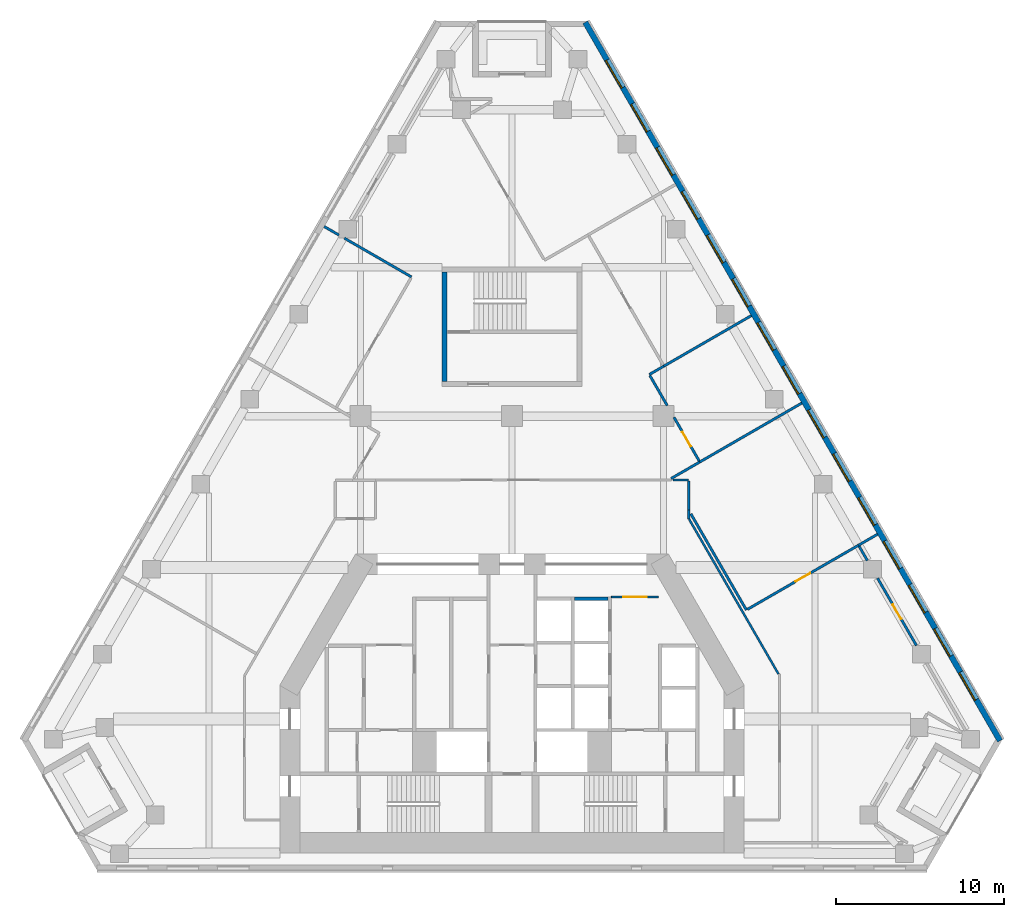
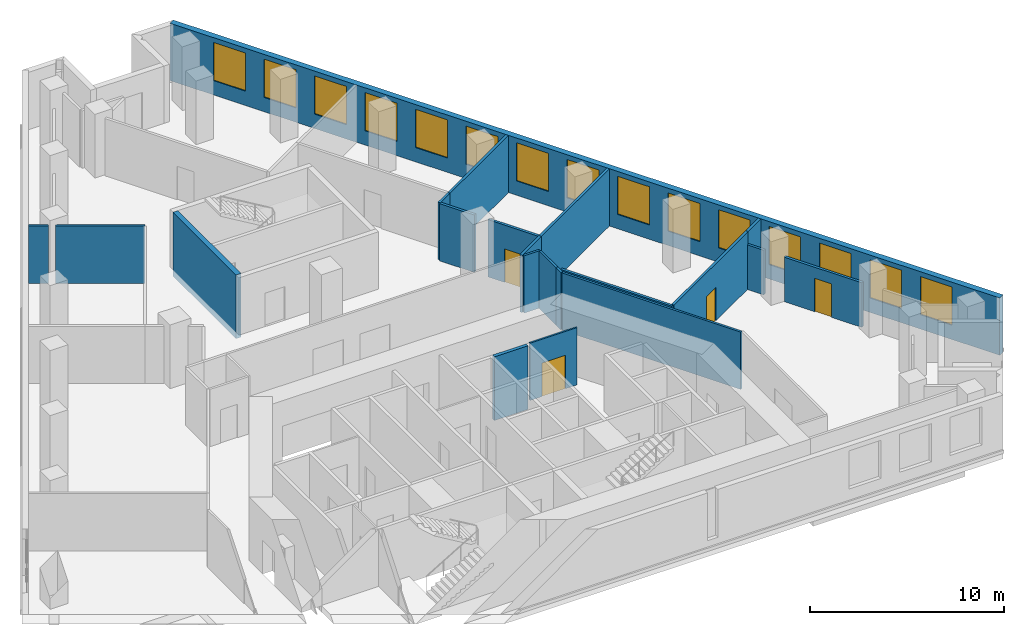
# One storey, part 7 of 9: 21 walls, 15 windows, 4 doors, 19 openings.
"""IFC4 building model written with IfcOpenShell, lengths in metres."""

from ifc_helpers import new_model, si_unit, direction, frame, frame_2d, origin, place, context, subcontext, project, spatial, rectangle, extrude, material, layer, layer_set, type_object, element, fill, save


model = new_model("IFC4")

# Units and contexts
model_context = context("Model", 3, precision=1e-05, world=origin(), true_north=direction((0.0, 1.0)))
body_context = subcontext(model_context, "Body", "Model", "MODEL_VIEW")
ifc_project = project(units=[si_unit("LENGTHUNIT", "METRE"), si_unit("AREAUNIT", "SQUARE_METRE"), si_unit("VOLUMEUNIT", "CUBIC_METRE"), si_unit("PLANEANGLEUNIT", "RADIAN"), si_unit("MASSUNIT", "GRAM", prefix="KILO")], contexts=[model_context])

# Site, building, storey
site_placement = place(None, origin())
site = spatial("IfcSite", under=ifc_project, at=site_placement, CompositionType="ELEMENT")
building_placement = place(site_placement, origin())
building = spatial("IfcBuilding", under=site, at=building_placement, Name="Fogline Exchange Tower", CompositionType="ELEMENT")
storey_placement = place(building_placement, frame((0.0, 0.0, 146.89990234375)))
storey = spatial("IfcBuildingStorey", under=building, at=storey_placement, Name="L32", CompositionType="ELEMENT", Elevation=146.89990234375)

# Wall, opening, door
ifc_material_1 = material(Name="Blockwork partition", Category="masonry")
ifc_layer_1 = layer(ifc_material_1, 0.10009765625)
ifc_layer_set_1 = layer_set([ifc_layer_1], Name="CW10")
wall_type_1 = type_object("IfcWallType", Name="CW10", PredefinedType="PARTITIONING", material=ifc_layer_set_1)
wall_1_placement = place(storey_placement, frame((5.89990234375, 16.25, 0.0), z_axis=(0.0, 0.0, 1.0), x_axis=(1.0, 0.0, 0.0)))
wall_1 = element("IfcWall", 1, at=wall_1_placement, inside=storey, type_object=wall_type_1, Name="Lift lobby partition", PredefinedType="PARTITIONING", context=body_context, shape_type="SweptSolid", body=[
    extrude(rectangle(XDim=2.800048828125, YDim=0.10009765625, at=frame_2d((1.39990234375, 0.0))), origin(), (0.0, 0.0, 1.0), 3.60009765625),
])
opening_1_placement = place(wall_1_placement, frame((0.699951171875, 0.0, 0.0)))
opening_1 = element("IfcOpeningElement", 2, at=opening_1_placement, cuts=wall_1, Name="Opening T10-C012", PredefinedType="OPENING", context=body_context, shape_type="SweptSolid", body=[
    extrude(rectangle(XDim=1.39990234375, YDim=2.10009765625, at=frame_2d((0.699951171875, 1.050048828125))), frame((0.0, 0.06005859375, 0.0), z_axis=(0.0, -1.0, 0.0), x_axis=(1.0, 0.0, 0.0)), (0.0, 0.0, 1.0), 0.1201171875),
])
ifc_material_2 = material(Name="Steel and timber fire door", Category="steel")
door_type_1 = type_object("IfcDoorType", Name="D-LB1", OperationType="DOUBLE_DOOR_SINGLE_SWING", PredefinedType="DOOR", material=ifc_material_2)
door_1_placement = place(opening_1_placement, origin())
door_1 = element("IfcDoor", 3, at=door_1_placement, inside=storey, type_object=door_type_1, Name="Door to lift lobby", OperationType="DOUBLE_DOOR_SINGLE_SWING", OverallHeight=2.10009765625, OverallWidth=1.39990234375, PredefinedType="DOOR", context=body_context, shape_type="SweptSolid", body=[
    extrude(rectangle(XDim=1.39990234375, YDim=2.10009765625, at=frame_2d((0.699951171875, 1.050048828125))), frame((0.0, 0.02490234375, 0.0), z_axis=(0.0, -1.0, 0.0), x_axis=(1.0, 0.0, 0.0)), (0.0, 0.0, 1.0), 0.050048828125),
])
fill(opening_1, door_1)

# Walls
ifc_material_3 = material(Name="Concrete C40", Category="concrete")
ifc_layer_2 = layer(ifc_material_3, 0.199951171875)
ifc_layer_set_2 = layer_set([ifc_layer_2], Name="CW20S")
wall_type_2 = type_object("IfcWallType", Name="CW20S", PredefinedType="SOLIDWALL", material=ifc_layer_set_2)
wall_2_placement = place(storey_placement, frame((3.699951171875, 16.14990234375, -0.39990234375), z_axis=(0.0, 0.0, 1.0), x_axis=(1.0, 0.0, 0.0)))
element("IfcWall", 4, at=wall_2_placement, inside=storey, type_object=wall_type_2, Name="Lift shaft wall", PredefinedType="SOLIDWALL", context=body_context, shape_type="SweptSolid", body=[
    extrude(rectangle(XDim=2.0, YDim=0.199951171875, at=frame_2d((1.0, 0.0))), origin(), (0.0, 0.0, 1.0), 4.0),
])
ifc_layer_3 = layer(ifc_material_3, 0.300048828125)
ifc_layer_set_3 = layer_set([ifc_layer_3], Name="CW30")
wall_type_3 = type_object("IfcWallType", Name="CW30", PredefinedType="SOLIDWALL", material=ifc_layer_set_3)
wall_3_placement = place(storey_placement, frame((-4.0, 29.056884765625, -0.39990234375), z_axis=(0.0, 0.0, 1.0), x_axis=(0.0, 1.0, 0.0)))
element("IfcWall", 5, at=wall_3_placement, inside=storey, type_object=wall_type_3, Name="Stair enclosure wall ST3", PredefinedType="SOLIDWALL", context=body_context, shape_type="SweptSolid", body=[
    extrude(rectangle(XDim=6.5, YDim=0.300048828125, at=frame_2d((3.25, 0.0))), origin(), (0.0, 0.0, 1.0), 4.0),
])

# Wall, openings, windows
ifc_material_4 = material(Name="Brick masonry", Category="masonry")
ifc_layer_4 = layer(ifc_material_4, 0.340087890625)
ifc_layer_set_4 = layer_set([ifc_layer_4], Name="FW1")
wall_type_4 = type_object("IfcWallType", Name="FW1", PredefinedType="SOLIDWALL", material=ifc_layer_set_4)
wall_4_placement = place(storey_placement, frame((29.001220703125, 7.709228515625, 0.0), z_axis=(0.0, 0.0, 1.0), x_axis=(-0.499999677325, 0.866025590081, 0.0)))
wall_4 = element("IfcWall", 6, at=wall_4_placement, inside=storey, type_object=wall_type_4, Name="Brick wall L32 E", PredefinedType="SOLIDWALL", context=body_context, shape_type="SweptSolid", body=[
    extrude(rectangle(XDim=49.296875, YDim=0.340087890625, at=frame_2d((24.6484375, 0.0))), origin(), (0.0, 0.0, 1.0), 3.60009765625),
])
opening_2_placement = place(wall_4_placement, frame((2.82421875, 0.0, 0.89990234375)))
opening_2 = element("IfcOpeningElement", 7, at=opening_2_placement, cuts=wall_4, Name="Opening W1", PredefinedType="OPENING", context=body_context, shape_type="SweptSolid", body=[
    extrude(rectangle(XDim=1.885009765625, YDim=2.39990234375, at=frame_2d((0.9423828125, 1.199951171875))), frame((0.0, 0.18017578125, 0.0), z_axis=(0.0, -1.0, 0.0), x_axis=(1.0, 0.0, 0.0)), (0.0, 0.0, 1.0), 0.360107421875),
])
opening_3_placement = place(wall_4_placement, frame((5.82421875, 0.0, 0.89990234375)))
opening_3 = element("IfcOpeningElement", 8, at=opening_3_placement, cuts=wall_4, Name="Opening W1", PredefinedType="OPENING", context=body_context, shape_type="SweptSolid", body=[
    extrude(rectangle(XDim=1.885009765625, YDim=2.39990234375, at=frame_2d((0.9423828125, 1.199951171875))), frame((0.0, 0.18017578125, 0.0), z_axis=(0.0, -1.0, 0.0), x_axis=(1.0, 0.0, 0.0)), (0.0, 0.0, 1.0), 0.360107421875),
])
opening_4_placement = place(wall_4_placement, frame((8.82421875, 0.0, 0.89990234375)))
opening_4 = element("IfcOpeningElement", 9, at=opening_4_placement, cuts=wall_4, Name="Opening W1", PredefinedType="OPENING", context=body_context, shape_type="SweptSolid", body=[
    extrude(rectangle(XDim=1.885009765625, YDim=2.39990234375, at=frame_2d((0.9423828125, 1.199951171875))), frame((0.0, 0.18017578125, 0.0), z_axis=(0.0, -1.0, 0.0), x_axis=(1.0, 0.0, 0.0)), (0.0, 0.0, 1.0), 0.360107421875),
])
opening_5_placement = place(wall_4_placement, frame((11.82421875, 0.0, 0.89990234375)))
opening_5 = element("IfcOpeningElement", 10, at=opening_5_placement, cuts=wall_4, Name="Opening W1", PredefinedType="OPENING", context=body_context, shape_type="SweptSolid", body=[
    extrude(rectangle(XDim=1.885009765625, YDim=2.39990234375, at=frame_2d((0.9423828125, 1.199951171875))), frame((0.0, 0.18017578125, 0.0), z_axis=(0.0, -1.0, 0.0), x_axis=(1.0, 0.0, 0.0)), (0.0, 0.0, 1.0), 0.360107421875),
])
opening_6_placement = place(wall_4_placement, frame((14.82421875, 0.0, 0.89990234375)))
opening_6 = element("IfcOpeningElement", 11, at=opening_6_placement, cuts=wall_4, Name="Opening W1", PredefinedType="OPENING", context=body_context, shape_type="SweptSolid", body=[
    extrude(rectangle(XDim=1.885009765625, YDim=2.39990234375, at=frame_2d((0.9423828125, 1.199951171875))), frame((0.0, 0.18017578125, 0.0), z_axis=(0.0, -1.0, 0.0), x_axis=(1.0, 0.0, 0.0)), (0.0, 0.0, 1.0), 0.360107421875),
])
opening_7_placement = place(wall_4_placement, frame((17.82421875, 0.0, 0.89990234375)))
opening_7 = element("IfcOpeningElement", 12, at=opening_7_placement, cuts=wall_4, Name="Opening W1", PredefinedType="OPENING", context=body_context, shape_type="SweptSolid", body=[
    extrude(rectangle(XDim=1.885009765625, YDim=2.39990234375, at=frame_2d((0.9423828125, 1.199951171875))), frame((0.0, 0.18017578125, 0.0), z_axis=(0.0, -1.0, 0.0), x_axis=(1.0, 0.0, 0.0)), (0.0, 0.0, 1.0), 0.360107421875),
])
opening_8_placement = place(wall_4_placement, frame((20.82421875, 0.0, 0.89990234375)))
opening_8 = element("IfcOpeningElement", 13, at=opening_8_placement, cuts=wall_4, Name="Opening W1", PredefinedType="OPENING", context=body_context, shape_type="SweptSolid", body=[
    extrude(rectangle(XDim=1.885009765625, YDim=2.39990234375, at=frame_2d((0.9423828125, 1.199951171875))), frame((0.0, 0.18017578125, 0.0), z_axis=(0.0, -1.0, 0.0), x_axis=(1.0, 0.0, 0.0)), (0.0, 0.0, 1.0), 0.360107421875),
])
opening_9_placement = place(wall_4_placement, frame((23.82421875, 0.0, 0.89990234375)))
opening_9 = element("IfcOpeningElement", 14, at=opening_9_placement, cuts=wall_4, Name="Opening W1", PredefinedType="OPENING", context=body_context, shape_type="SweptSolid", body=[
    extrude(rectangle(XDim=1.885009765625, YDim=2.39990234375, at=frame_2d((0.9423828125, 1.199951171875))), frame((0.0, 0.18017578125, 0.0), z_axis=(0.0, -1.0, 0.0), x_axis=(1.0, 0.0, 0.0)), (0.0, 0.0, 1.0), 0.360107421875),
])
opening_10_placement = place(wall_4_placement, frame((26.82421875, 0.0, 0.89990234375)))
opening_10 = element("IfcOpeningElement", 15, at=opening_10_placement, cuts=wall_4, Name="Opening W1", PredefinedType="OPENING", context=body_context, shape_type="SweptSolid", body=[
    extrude(rectangle(XDim=1.885009765625, YDim=2.39990234375, at=frame_2d((0.9423828125, 1.199951171875))), frame((0.0, 0.18017578125, 0.0), z_axis=(0.0, -1.0, 0.0), x_axis=(1.0, 0.0, 0.0)), (0.0, 0.0, 1.0), 0.360107421875),
])
opening_11_placement = place(wall_4_placement, frame((29.82421875, 0.0, 0.89990234375)))
opening_11 = element("IfcOpeningElement", 16, at=opening_11_placement, cuts=wall_4, Name="Opening W1", PredefinedType="OPENING", context=body_context, shape_type="SweptSolid", body=[
    extrude(rectangle(XDim=1.885009765625, YDim=2.39990234375, at=frame_2d((0.9423828125, 1.199951171875))), frame((0.0, 0.18017578125, 0.0), z_axis=(0.0, -1.0, 0.0), x_axis=(1.0, 0.0, 0.0)), (0.0, 0.0, 1.0), 0.360107421875),
])
opening_12_placement = place(wall_4_placement, frame((32.82421875, 0.0, 0.89990234375)))
opening_12 = element("IfcOpeningElement", 17, at=opening_12_placement, cuts=wall_4, Name="Opening W1", PredefinedType="OPENING", context=body_context, shape_type="SweptSolid", body=[
    extrude(rectangle(XDim=1.885009765625, YDim=2.39990234375, at=frame_2d((0.9423828125, 1.199951171875))), frame((0.0, 0.18017578125, 0.0), z_axis=(0.0, -1.0, 0.0), x_axis=(1.0, 0.0, 0.0)), (0.0, 0.0, 1.0), 0.360107421875),
])
opening_13_placement = place(wall_4_placement, frame((35.82421875, 0.0, 0.89990234375)))
opening_13 = element("IfcOpeningElement", 18, at=opening_13_placement, cuts=wall_4, Name="Opening W1", PredefinedType="OPENING", context=body_context, shape_type="SweptSolid", body=[
    extrude(rectangle(XDim=1.885009765625, YDim=2.39990234375, at=frame_2d((0.9423828125, 1.199951171875))), frame((0.0, 0.18017578125, 0.0), z_axis=(0.0, -1.0, 0.0), x_axis=(1.0, 0.0, 0.0)), (0.0, 0.0, 1.0), 0.360107421875),
])
opening_14_placement = place(wall_4_placement, frame((38.82421875, 0.0, 0.89990234375)))
opening_14 = element("IfcOpeningElement", 19, at=opening_14_placement, cuts=wall_4, Name="Opening W1", PredefinedType="OPENING", context=body_context, shape_type="SweptSolid", body=[
    extrude(rectangle(XDim=1.885009765625, YDim=2.39990234375, at=frame_2d((0.9423828125, 1.199951171875))), frame((0.0, 0.18017578125, 0.0), z_axis=(0.0, -1.0, 0.0), x_axis=(1.0, 0.0, 0.0)), (0.0, 0.0, 1.0), 0.360107421875),
])
opening_15_placement = place(wall_4_placement, frame((41.82421875, 0.0, 0.89990234375)))
opening_15 = element("IfcOpeningElement", 20, at=opening_15_placement, cuts=wall_4, Name="Opening W1", PredefinedType="OPENING", context=body_context, shape_type="SweptSolid", body=[
    extrude(rectangle(XDim=1.885009765625, YDim=2.39990234375, at=frame_2d((0.9423828125, 1.199951171875))), frame((0.0, 0.18017578125, 0.0), z_axis=(0.0, -1.0, 0.0), x_axis=(1.0, 0.0, 0.0)), (0.0, 0.0, 1.0), 0.360107421875),
])
opening_16_placement = place(wall_4_placement, frame((44.82421875, 0.0, 0.89990234375)))
opening_16 = element("IfcOpeningElement", 21, at=opening_16_placement, cuts=wall_4, Name="Opening W1", PredefinedType="OPENING", context=body_context, shape_type="SweptSolid", body=[
    extrude(rectangle(XDim=1.885009765625, YDim=2.39990234375, at=frame_2d((0.9423828125, 1.199951171875))), frame((0.0, 0.18017578125, 0.0), z_axis=(0.0, -1.0, 0.0), x_axis=(1.0, 0.0, 0.0)), (0.0, 0.0, 1.0), 0.360107421875),
])
ifc_material_5 = material(Name="Aluminium and glass", Category="aluminium")
window_type = type_object("IfcWindowType", Name="W1", PartitioningType="SINGLE_PANEL", PredefinedType="WINDOW", material=ifc_material_5)
window_1_placement = place(opening_2_placement, origin())
window_1 = element("IfcWindow", 22, at=window_1_placement, inside=storey, type_object=window_type, Name="W1 W1", OverallHeight=2.39990234375, OverallWidth=1.885009765625, PartitioningType="SINGLE_PANEL", PredefinedType="WINDOW", context=body_context, shape_type="SweptSolid", body=[
    extrude(rectangle(XDim=1.885009765625, YDim=2.39990234375, at=frame_2d((0.9423828125, 1.199951171875))), frame((0.0, 0.110107421875, 0.0), z_axis=(0.0, -1.0, 0.0), x_axis=(1.0, 0.0, 0.0)), (0.0, 0.0, 1.0), 0.06005859375),
])
fill(opening_2, window_1)
window_2_placement = place(opening_3_placement, origin())
window_2 = element("IfcWindow", 23, at=window_2_placement, inside=storey, type_object=window_type, Name="W1 W1", OverallHeight=2.39990234375, OverallWidth=1.885009765625, PartitioningType="SINGLE_PANEL", PredefinedType="WINDOW", context=body_context, shape_type="SweptSolid", body=[
    extrude(rectangle(XDim=1.885009765625, YDim=2.39990234375, at=frame_2d((0.9423828125, 1.199951171875))), frame((0.0, 0.110107421875, 0.0), z_axis=(0.0, -1.0, 0.0), x_axis=(1.0, 0.0, 0.0)), (0.0, 0.0, 1.0), 0.06005859375),
])
fill(opening_3, window_2)
window_3_placement = place(opening_4_placement, origin())
window_3 = element("IfcWindow", 24, at=window_3_placement, inside=storey, type_object=window_type, Name="W1 W1", OverallHeight=2.39990234375, OverallWidth=1.885009765625, PartitioningType="SINGLE_PANEL", PredefinedType="WINDOW", context=body_context, shape_type="SweptSolid", body=[
    extrude(rectangle(XDim=1.885009765625, YDim=2.39990234375, at=frame_2d((0.9423828125, 1.199951171875))), frame((0.0, 0.110107421875, 0.0), z_axis=(0.0, -1.0, 0.0), x_axis=(1.0, 0.0, 0.0)), (0.0, 0.0, 1.0), 0.06005859375),
])
fill(opening_4, window_3)
window_4_placement = place(opening_5_placement, origin())
window_4 = element("IfcWindow", 25, at=window_4_placement, inside=storey, type_object=window_type, Name="W1 W1", OverallHeight=2.39990234375, OverallWidth=1.885009765625, PartitioningType="SINGLE_PANEL", PredefinedType="WINDOW", context=body_context, shape_type="SweptSolid", body=[
    extrude(rectangle(XDim=1.885009765625, YDim=2.39990234375, at=frame_2d((0.9423828125, 1.199951171875))), frame((0.0, 0.110107421875, 0.0), z_axis=(0.0, -1.0, 0.0), x_axis=(1.0, 0.0, 0.0)), (0.0, 0.0, 1.0), 0.06005859375),
])
fill(opening_5, window_4)
window_5_placement = place(opening_6_placement, origin())
window_5 = element("IfcWindow", 26, at=window_5_placement, inside=storey, type_object=window_type, Name="W1 W1", OverallHeight=2.39990234375, OverallWidth=1.885009765625, PartitioningType="SINGLE_PANEL", PredefinedType="WINDOW", context=body_context, shape_type="SweptSolid", body=[
    extrude(rectangle(XDim=1.885009765625, YDim=2.39990234375, at=frame_2d((0.9423828125, 1.199951171875))), frame((0.0, 0.110107421875, 0.0), z_axis=(0.0, -1.0, 0.0), x_axis=(1.0, 0.0, 0.0)), (0.0, 0.0, 1.0), 0.06005859375),
])
fill(opening_6, window_5)
window_6_placement = place(opening_7_placement, origin())
window_6 = element("IfcWindow", 27, at=window_6_placement, inside=storey, type_object=window_type, Name="W1 W1", OverallHeight=2.39990234375, OverallWidth=1.885009765625, PartitioningType="SINGLE_PANEL", PredefinedType="WINDOW", context=body_context, shape_type="SweptSolid", body=[
    extrude(rectangle(XDim=1.885009765625, YDim=2.39990234375, at=frame_2d((0.9423828125, 1.199951171875))), frame((0.0, 0.110107421875, 0.0), z_axis=(0.0, -1.0, 0.0), x_axis=(1.0, 0.0, 0.0)), (0.0, 0.0, 1.0), 0.06005859375),
])
fill(opening_7, window_6)
window_7_placement = place(opening_8_placement, origin())
window_7 = element("IfcWindow", 28, at=window_7_placement, inside=storey, type_object=window_type, Name="W1 W1", OverallHeight=2.39990234375, OverallWidth=1.885009765625, PartitioningType="SINGLE_PANEL", PredefinedType="WINDOW", context=body_context, shape_type="SweptSolid", body=[
    extrude(rectangle(XDim=1.885009765625, YDim=2.39990234375, at=frame_2d((0.9423828125, 1.199951171875))), frame((0.0, 0.110107421875, 0.0), z_axis=(0.0, -1.0, 0.0), x_axis=(1.0, 0.0, 0.0)), (0.0, 0.0, 1.0), 0.06005859375),
])
fill(opening_8, window_7)
window_8_placement = place(opening_9_placement, origin())
window_8 = element("IfcWindow", 29, at=window_8_placement, inside=storey, type_object=window_type, Name="W1 W1", OverallHeight=2.39990234375, OverallWidth=1.885009765625, PartitioningType="SINGLE_PANEL", PredefinedType="WINDOW", context=body_context, shape_type="SweptSolid", body=[
    extrude(rectangle(XDim=1.885009765625, YDim=2.39990234375, at=frame_2d((0.9423828125, 1.199951171875))), frame((0.0, 0.110107421875, 0.0), z_axis=(0.0, -1.0, 0.0), x_axis=(1.0, 0.0, 0.0)), (0.0, 0.0, 1.0), 0.06005859375),
])
fill(opening_9, window_8)
window_9_placement = place(opening_10_placement, origin())
window_9 = element("IfcWindow", 30, at=window_9_placement, inside=storey, type_object=window_type, Name="W1 W1", OverallHeight=2.39990234375, OverallWidth=1.885009765625, PartitioningType="SINGLE_PANEL", PredefinedType="WINDOW", context=body_context, shape_type="SweptSolid", body=[
    extrude(rectangle(XDim=1.885009765625, YDim=2.39990234375, at=frame_2d((0.9423828125, 1.199951171875))), frame((0.0, 0.110107421875, 0.0), z_axis=(0.0, -1.0, 0.0), x_axis=(1.0, 0.0, 0.0)), (0.0, 0.0, 1.0), 0.06005859375),
])
fill(opening_10, window_9)
window_10_placement = place(opening_11_placement, origin())
window_10 = element("IfcWindow", 31, at=window_10_placement, inside=storey, type_object=window_type, Name="W1 W1", OverallHeight=2.39990234375, OverallWidth=1.885009765625, PartitioningType="SINGLE_PANEL", PredefinedType="WINDOW", context=body_context, shape_type="SweptSolid", body=[
    extrude(rectangle(XDim=1.885009765625, YDim=2.39990234375, at=frame_2d((0.9423828125, 1.199951171875))), frame((0.0, 0.110107421875, 0.0), z_axis=(0.0, -1.0, 0.0), x_axis=(1.0, 0.0, 0.0)), (0.0, 0.0, 1.0), 0.06005859375),
])
fill(opening_11, window_10)
window_11_placement = place(opening_12_placement, origin())
window_11 = element("IfcWindow", 32, at=window_11_placement, inside=storey, type_object=window_type, Name="W1 W1", OverallHeight=2.39990234375, OverallWidth=1.885009765625, PartitioningType="SINGLE_PANEL", PredefinedType="WINDOW", context=body_context, shape_type="SweptSolid", body=[
    extrude(rectangle(XDim=1.885009765625, YDim=2.39990234375, at=frame_2d((0.9423828125, 1.199951171875))), frame((0.0, 0.110107421875, 0.0), z_axis=(0.0, -1.0, 0.0), x_axis=(1.0, 0.0, 0.0)), (0.0, 0.0, 1.0), 0.06005859375),
])
fill(opening_12, window_11)
window_12_placement = place(opening_13_placement, origin())
window_12 = element("IfcWindow", 33, at=window_12_placement, inside=storey, type_object=window_type, Name="W1 W1", OverallHeight=2.39990234375, OverallWidth=1.885009765625, PartitioningType="SINGLE_PANEL", PredefinedType="WINDOW", context=body_context, shape_type="SweptSolid", body=[
    extrude(rectangle(XDim=1.885009765625, YDim=2.39990234375, at=frame_2d((0.9423828125, 1.199951171875))), frame((0.0, 0.110107421875, 0.0), z_axis=(0.0, -1.0, 0.0), x_axis=(1.0, 0.0, 0.0)), (0.0, 0.0, 1.0), 0.06005859375),
])
fill(opening_13, window_12)
window_13_placement = place(opening_14_placement, origin())
window_13 = element("IfcWindow", 34, at=window_13_placement, inside=storey, type_object=window_type, Name="W1 W1", OverallHeight=2.39990234375, OverallWidth=1.885009765625, PartitioningType="SINGLE_PANEL", PredefinedType="WINDOW", context=body_context, shape_type="SweptSolid", body=[
    extrude(rectangle(XDim=1.885009765625, YDim=2.39990234375, at=frame_2d((0.9423828125, 1.199951171875))), frame((0.0, 0.110107421875, 0.0), z_axis=(0.0, -1.0, 0.0), x_axis=(1.0, 0.0, 0.0)), (0.0, 0.0, 1.0), 0.06005859375),
])
fill(opening_14, window_13)
window_14_placement = place(opening_15_placement, origin())
window_14 = element("IfcWindow", 35, at=window_14_placement, inside=storey, type_object=window_type, Name="W1 W1", OverallHeight=2.39990234375, OverallWidth=1.885009765625, PartitioningType="SINGLE_PANEL", PredefinedType="WINDOW", context=body_context, shape_type="SweptSolid", body=[
    extrude(rectangle(XDim=1.885009765625, YDim=2.39990234375, at=frame_2d((0.9423828125, 1.199951171875))), frame((0.0, 0.110107421875, 0.0), z_axis=(0.0, -1.0, 0.0), x_axis=(1.0, 0.0, 0.0)), (0.0, 0.0, 1.0), 0.06005859375),
])
fill(opening_15, window_14)
window_15_placement = place(opening_16_placement, origin())
window_15 = element("IfcWindow", 36, at=window_15_placement, inside=storey, type_object=window_type, Name="W1 W1", OverallHeight=2.39990234375, OverallWidth=1.885009765625, PartitioningType="SINGLE_PANEL", PredefinedType="WINDOW", context=body_context, shape_type="SweptSolid", body=[
    extrude(rectangle(XDim=1.885009765625, YDim=2.39990234375, at=frame_2d((0.9423828125, 1.199951171875))), frame((0.0, 0.110107421875, 0.0), z_axis=(0.0, -1.0, 0.0), x_axis=(1.0, 0.0, 0.0)), (0.0, 0.0, 1.0), 0.06005859375),
])
fill(opening_16, window_15)

# Walls
ifc_material_6 = material(Name="Plasterboard corridor partition with mineral wool, 2 layers each side")
ifc_layer_5 = layer(ifc_material_6, 0.125)
ifc_layer_set_5 = layer_set([ifc_layer_5], Name="PW2")
wall_type_5 = type_object("IfcWallType", Name="PW2", PredefinedType="PARTITIONING", material=ifc_layer_set_5)
wall_5_placement = place(storey_placement, frame((10.522216796875, 20.876220703125, 0.0), z_axis=(0.0, 0.0, 1.0), x_axis=(0.499994810213, -0.866028400089, 0.0)))
element("IfcWall", 37, at=wall_5_placement, inside=storey, type_object=wall_type_5, Name="wall-L32-W001", PredefinedType="PARTITIONING", context=body_context, shape_type="SweptSolid", body=[
    extrude(rectangle(XDim=10.63037109375, YDim=0.125, at=frame_2d((5.315185546875, 0.0))), origin(), (0.0, 0.0, 1.0), 3.60009765625),
])
wall_6_placement = place(storey_placement, frame((9.557373046875, 23.199951171875, 0.0), z_axis=(0.0, 0.0, 1.0), x_axis=(1.0, 0.0, 0.0)))
element("IfcWall", 38, at=wall_6_placement, inside=storey, type_object=wall_type_5, Name="wall-L32-W004", PredefinedType="PARTITIONING", context=body_context, shape_type="SweptSolid", body=[
    extrude(rectangle(XDim=0.942626953125, YDim=0.125, at=frame_2d((0.47119140625, 0.0))), origin(), (0.0, 0.0, 1.0), 3.60009765625),
])
wall_7_placement = place(storey_placement, frame((10.5, 23.137451171875, 0.0), z_axis=(0.0, 0.0, 1.0), x_axis=(0.0, -1.0, 0.0)))
element("IfcWall", 39, at=wall_7_placement, inside=storey, type_object=wall_type_5, Name="wall-L32-W005", PredefinedType="PARTITIONING", context=body_context, shape_type="SweptSolid", body=[
    extrude(rectangle(XDim=1.72314453125, YDim=0.125, at=frame_2d((0.861572265625, 0.0))), origin(), (0.0, 0.0, 1.0), 3.60009765625),
])
wall_8_placement = place(storey_placement, frame((10.5, 21.414306640625, 0.0), z_axis=(0.0, 0.0, 1.0), x_axis=(0.0, -1.0, 0.0)))
element("IfcWall", 40, at=wall_8_placement, inside=storey, type_object=wall_type_5, Name="wall-L32-W009", PredefinedType="PARTITIONING", context=body_context, shape_type="SweptSolid", body=[
    extrude(rectangle(XDim=0.514404296875, YDim=0.125, at=frame_2d((0.25732421875, 0.0))), origin(), (0.0, 0.0, 1.0), 3.60009765625),
])
ifc_material_7 = material(Name="Plasterboard demising partition with mineral wool and acoustic board")
ifc_layer_6 = layer(ifc_material_7, 0.14990234375)
ifc_layer_set_6 = layer_set([ifc_layer_6], Name="PW3")
wall_type_6 = type_object("IfcWallType", Name="PW3", PredefinedType="PARTITIONING", material=ifc_layer_set_6)
wall_9_placement = place(storey_placement, frame((11.158447265625, 24.273681640625, 0.0), z_axis=(0.0, 0.0, 1.0), x_axis=(0.866028190633, 0.499995173006, 0.0)))
element("IfcWall", 41, at=wall_9_placement, inside=storey, type_object=wall_type_6, Name="wall-L32-W014", PredefinedType="PARTITIONING", context=body_context, shape_type="SweptSolid", body=[
    extrude(rectangle(XDim=7.0, YDim=0.14990234375, at=frame_2d((3.5, 0.0))), origin(), (0.0, 0.0, 1.0), 3.60009765625),
])
wall_10_placement = place(storey_placement, frame((9.453857421875, 23.289794921875, 0.0), z_axis=(0.0, 0.0, 1.0), x_axis=(0.866082311439, 0.499901420094, 0.0)))
element("IfcWall", 42, at=wall_10_placement, inside=storey, type_object=wall_type_6, Name="wall-L32-W015", PredefinedType="PARTITIONING", context=body_context, shape_type="SweptSolid", body=[
    extrude(rectangle(XDim=1.96826171875, YDim=0.14990234375, at=frame_2d((0.984130859375, 0.0))), origin(), (0.0, 0.0, 1.0), 3.60009765625),
])
wall_11_placement = place(storey_placement, frame((21.720703125, 19.9794921875, 0.0), z_axis=(0.0, 0.0, 1.0), x_axis=(-0.86607031481, -0.499922203753, 0.0)))
element("IfcWall", 43, at=wall_11_placement, inside=storey, type_object=wall_type_6, Name="wall-L32-W016", PredefinedType="PARTITIONING", context=body_context, shape_type="SweptSolid", body=[
    extrude(rectangle(XDim=1.304931640625, YDim=0.14990234375, at=frame_2d((0.65234375, 0.0))), origin(), (0.0, 0.0, 1.0), 3.60009765625),
])

# Wall, opening, door
wall_12_placement = place(storey_placement, frame((20.590576171875, 19.3271484375, 0.0), z_axis=(0.0, 0.0, 1.0), x_axis=(-0.866022320763, -0.500005339912, 0.0)))
wall_12 = element("IfcWall", 44, at=wall_12_placement, inside=storey, type_object=wall_type_6, Name="wall-L32-W017", PredefinedType="PARTITIONING", context=body_context, shape_type="SweptSolid", body=[
    extrude(rectangle(XDim=7.6201171875, YDim=0.14990234375, at=frame_2d((3.81005859375, 0.0))), origin(), (0.0, 0.0, 1.0), 3.60009765625),
])
opening_17_placement = place(wall_12_placement, frame((3.31005859375, 0.0, 0.0)))
opening_17 = element("IfcOpeningElement", 45, at=opening_17_placement, cuts=wall_12, Name="Opening T10-D006", PredefinedType="OPENING", context=body_context, shape_type="SweptSolid", body=[
    extrude(rectangle(XDim=1.0, YDim=2.10009765625, at=frame_2d((0.5, 1.050048828125))), frame((0.0, 0.0849609375, 0.0), z_axis=(0.0, -1.0, 0.0), x_axis=(1.0, 0.0, 0.0)), (0.0, 0.0, 1.0), 0.169921875),
])
ifc_material_8 = material(Name="Fire-rated timber door leaf with steel frame", Category="steel")
door_type_2 = type_object("IfcDoorType", Name="D3", OperationType="SINGLE_SWING_LEFT", PredefinedType="DOOR", material=ifc_material_8)
door_2_placement = place(opening_17_placement, frame((1.0, 0.0, 0.0), z_axis=(0.0, 0.0, 1.0), x_axis=(-1.0, 0.0, 0.0)))
door_2 = element("IfcDoor", 46, at=door_2_placement, inside=storey, type_object=door_type_2, Name="door-L32-D006", OperationType="SINGLE_SWING_RIGHT", OverallHeight=2.10009765625, OverallWidth=1.0, PredefinedType="DOOR", context=body_context, shape_type="SweptSolid", body=[
    extrude(rectangle(XDim=1.0, YDim=2.10009765625, at=frame_2d((0.5, 1.050048828125))), frame((0.0, 0.02490234375, 0.0), z_axis=(0.0, -1.0, 0.0), x_axis=(1.0, 0.0, 0.0)), (0.0, 0.0, 1.0), 0.050048828125),
])
fill(opening_17, door_2)

# Walls
wall_13_placement = place(storey_placement, frame((13.926513671875, 15.4794921875, 0.0), z_axis=(0.0, 0.0, 1.0), x_axis=(-0.500007539231, 0.866021050964, 0.0)))
element("IfcWall", 47, at=wall_13_placement, inside=storey, type_object=wall_type_6, Name="wall-L32-W018", PredefinedType="PARTITIONING", context=body_context, shape_type="SweptSolid", body=[
    extrude(rectangle(XDim=6.59765625, YDim=0.14990234375, at=frame_2d((3.298828125, 0.0))), origin(), (0.0, 0.0, 1.0), 3.60009765625),
])
wall_14_placement = place(storey_placement, frame((9.0244140625, 29.969970703125, 0.0), z_axis=(0.0, 0.0, 1.0), x_axis=(0.866031096941, 0.499990139034, 0.0)))
element("IfcWall", 48, at=wall_14_placement, inside=storey, type_object=wall_type_6, Name="wall-L32-W019", PredefinedType="PARTITIONING", context=body_context, shape_type="SweptSolid", body=[
    extrude(rectangle(XDim=6.0, YDim=0.14990234375, at=frame_2d((3.0, 0.0))), origin(), (0.0, 0.0, 1.0), 3.60009765625),
])

# Wall, opening, door
wall_15_placement = place(storey_placement, frame((11.12109375, 24.3388671875, 0.0), z_axis=(0.0, 0.0, 1.0), x_axis=(-0.500035592419, 0.866004853516, 0.0)))
wall_15 = element("IfcWall", 49, at=wall_15_placement, inside=storey, type_object=wall_type_6, Name="wall-L32-W020", PredefinedType="PARTITIONING", context=body_context, shape_type="SweptSolid", body=[
    extrude(rectangle(XDim=2.991943359375, YDim=0.14990234375, at=frame_2d((1.49609375, 0.0))), origin(), (0.0, 0.0, 1.0), 3.60009765625),
])
opening_18_placement = place(wall_15_placement, frame((0.99609375, 0.0, 0.0)))
opening_18 = element("IfcOpeningElement", 50, at=opening_18_placement, cuts=wall_15, Name="Opening T10-D007", PredefinedType="OPENING", context=body_context, shape_type="SweptSolid", body=[
    extrude(rectangle(XDim=1.0, YDim=2.10009765625, at=frame_2d((0.5, 1.050048828125))), frame((0.0, 0.0849609375, 0.0), z_axis=(0.0, -1.0, 0.0), x_axis=(1.0, 0.0, 0.0)), (0.0, 0.0, 1.0), 0.169921875),
])
door_3_placement = place(opening_18_placement, frame((1.0, 0.0, 0.0), z_axis=(0.0, 0.0, 1.0), x_axis=(-1.0, 0.0, 0.0)))
door_3 = element("IfcDoor", 51, at=door_3_placement, inside=storey, type_object=door_type_2, Name="door-L32-D007", OperationType="SINGLE_SWING_RIGHT", OverallHeight=2.10009765625, OverallWidth=1.0, PredefinedType="DOOR", context=body_context, shape_type="SweptSolid", body=[
    extrude(rectangle(XDim=1.0, YDim=2.10009765625, at=frame_2d((0.5, 1.050048828125))), frame((0.0, 0.02490234375, 0.0), z_axis=(0.0, -1.0, 0.0), x_axis=(1.0, 0.0, 0.0)), (0.0, 0.0, 1.0), 0.050048828125),
])
fill(opening_18, door_3)

# Walls
wall_16_placement = place(storey_placement, frame((9.2236328125, 27.625, 0.0), z_axis=(0.0, 0.0, 1.0), x_axis=(-0.499958946799, 0.866049104564, 0.0)))
element("IfcWall", 52, at=wall_16_placement, inside=storey, type_object=wall_type_6, Name="wall-L32-W021", PredefinedType="PARTITIONING", context=body_context, shape_type="SweptSolid", body=[
    extrude(rectangle(XDim=2.055419921875, YDim=0.14990234375, at=frame_2d((1.02783203125, 0.0))), origin(), (0.0, 0.0, 1.0), 3.60009765625),
])
wall_17_placement = place(storey_placement, frame((8.158447265625, 29.469970703125, 0.0), z_axis=(0.0, 0.0, 1.0), x_axis=(0.866010750942, 0.50002537861, 0.0)))
element("IfcWall", 53, at=wall_17_placement, inside=storey, type_object=wall_type_6, Name="wall-L32-W022", PredefinedType="PARTITIONING", context=body_context, shape_type="SweptSolid", body=[
    extrude(rectangle(XDim=1.0, YDim=0.14990234375, at=frame_2d((0.5, 0.0))), origin(), (0.0, 0.0, 1.0), 3.60009765625),
])
wall_18_placement = place(storey_placement, frame((-5.967041015625, 35.265625, 0.0), z_axis=(0.0, 0.0, 1.0), x_axis=(-0.866015398818, 0.500017328709, 0.0)))
element("IfcWall", 54, at=wall_18_placement, inside=storey, type_object=wall_type_6, Name="wall-L32-W033", PredefinedType="PARTITIONING", context=body_context, shape_type="SweptSolid", body=[
    extrude(rectangle(XDim=4.610595703125, YDim=0.14990234375, at=frame_2d((2.30517578125, 0.0))), origin(), (0.0, 0.0, 1.0), 3.60009765625),
])
wall_19_placement = place(storey_placement, frame((-10.279296875, 37.75537109375, 0.0), z_axis=(0.0, 0.0, 1.0), x_axis=(-0.866026229868, 0.499998569178, 0.0)))
element("IfcWall", 55, at=wall_19_placement, inside=storey, type_object=wall_type_6, Name="wall-L32-W038", PredefinedType="PARTITIONING", context=body_context, shape_type="SweptSolid", body=[
    extrude(rectangle(XDim=1.0205078125, YDim=0.14990234375, at=frame_2d((0.51025390625, 0.0))), origin(), (0.0, 0.0, 1.0), 3.60009765625),
])

# Wall, opening, door
wall_20_placement = place(storey_placement, frame((24.030029296875, 13.369384765625, 0.0), z_axis=(0.0, 0.0, 1.0), x_axis=(-0.499981705991, 0.866035965578, 0.0)))
wall_20 = element("IfcWall", 56, at=wall_20_placement, inside=storey, type_object=wall_type_6, Name="wall-L32-W050", PredefinedType="PARTITIONING", context=body_context, shape_type="SweptSolid", body=[
    extrude(rectangle(XDim=4.619384765625, YDim=0.14990234375, at=frame_2d((2.3095703125, 0.0))), origin(), (0.0, 0.0, 1.0), 2.800048828125),
])
opening_19_placement = place(wall_20_placement, frame((1.8095703125, 0.0, 0.0)))
opening_19 = element("IfcOpeningElement", 57, at=opening_19_placement, cuts=wall_20, Name="Opening T10-D013", PredefinedType="OPENING", context=body_context, shape_type="SweptSolid", body=[
    extrude(rectangle(XDim=1.0, YDim=2.10009765625, at=frame_2d((0.5, 1.050048828125))), frame((0.0, 0.0849609375, 0.0), z_axis=(0.0, -1.0, 0.0), x_axis=(1.0, 0.0, 0.0)), (0.0, 0.0, 1.0), 0.169921875),
])
door_4_placement = place(opening_19_placement, frame((1.0, 0.0, 0.0), z_axis=(0.0, 0.0, 1.0), x_axis=(-1.0, 0.0, 0.0)))
door_4 = element("IfcDoor", 58, at=door_4_placement, inside=storey, type_object=door_type_2, Name="door-L32-D013", OperationType="SINGLE_SWING_LEFT", OverallHeight=2.10009765625, OverallWidth=1.0, PredefinedType="DOOR", context=body_context, shape_type="SweptSolid", body=[
    extrude(rectangle(XDim=1.0, YDim=2.10009765625, at=frame_2d((0.5, 1.050048828125))), frame((0.0, 0.02490234375, 0.0), z_axis=(0.0, -1.0, 0.0), x_axis=(1.0, 0.0, 0.0)), (0.0, 0.0, 1.0), 0.050048828125),
])
fill(opening_19, door_4)

# Wall
wall_21_placement = place(storey_placement, frame((21.1142578125, 18.419921875, 0.0), z_axis=(0.0, 0.0, 1.0), x_axis=(-0.500026652407, 0.866010015463, 0.0)))
element("IfcWall", 59, at=wall_21_placement, inside=storey, type_object=wall_type_6, Name="wall-L32-W051", PredefinedType="PARTITIONING", context=body_context, shape_type="SweptSolid", body=[
    extrude(rectangle(XDim=0.97265625, YDim=0.14990234375, at=frame_2d((0.486328125, 0.0))), origin(), (0.0, 0.0, 1.0), 2.800048828125),
])

save(model, "model.ifc")
